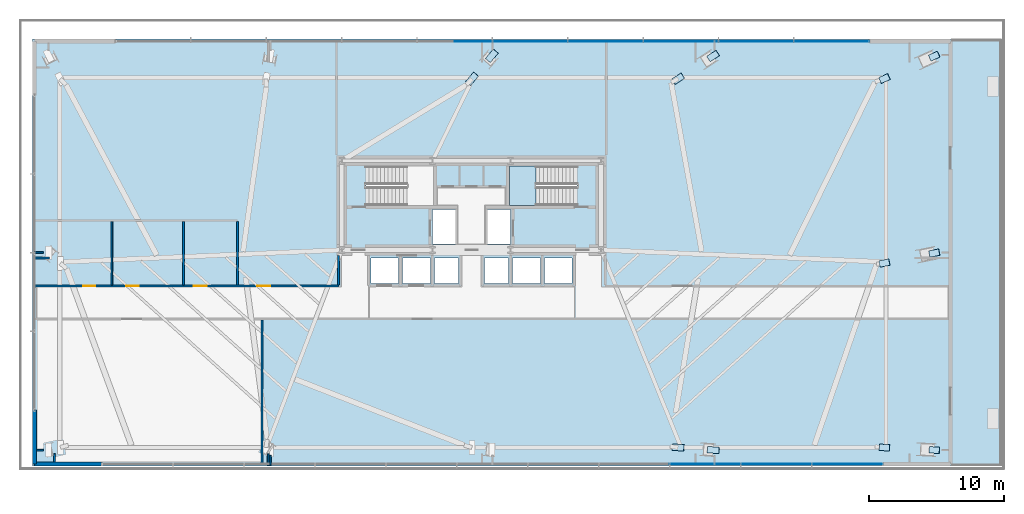
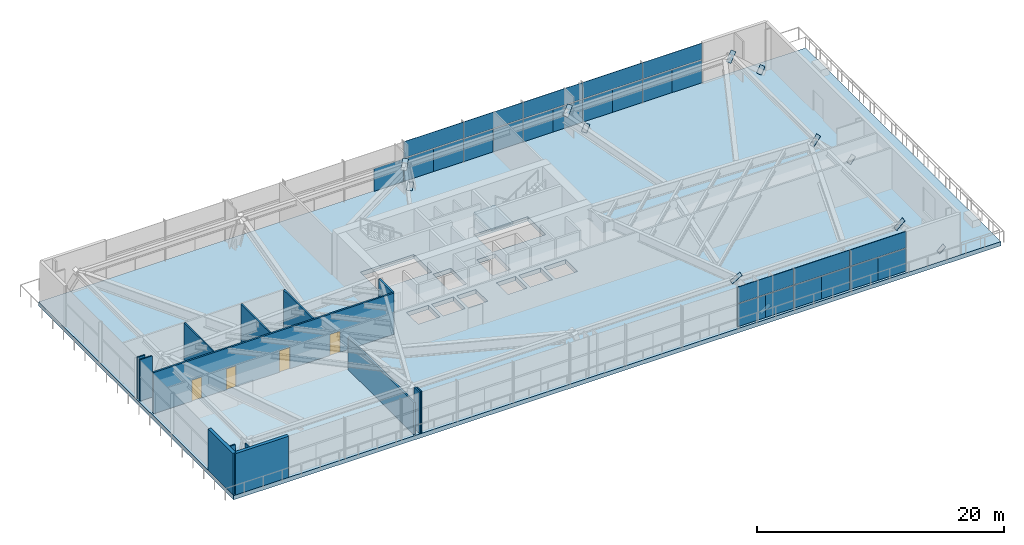
# One storey, part 21 of 30: 37 plates, 14 walls, 4 doors, 2 slabs, 4 openings, 3 elements without a shape of their own.
"""IFC4 building model written with IfcOpenShell, lengths in metres."""

from ifc_helpers import new_model, si_unit, direction, frame, frame_2d, origin, origin_2d, place, context, subcontext, project, spatial, polyline, rectangle, outline, extrude, source, transform, mapped, material, layer, layer_set, type_object, type_shapes, element, fill, aggregate, save


model = new_model("IFC4")

# Units and contexts
model_context = context("Model", 3, precision=1e-05, world=origin(), true_north=direction((0.0, 1.0)))
body_context = subcontext(model_context, "Body", "Model", "MODEL_VIEW")
ifc_project = project(units=[si_unit("LENGTHUNIT", "METRE"), si_unit("AREAUNIT", "SQUARE_METRE"), si_unit("VOLUMEUNIT", "CUBIC_METRE"), si_unit("PLANEANGLEUNIT", "RADIAN"), si_unit("MASSUNIT", "GRAM", prefix="KILO")], contexts=[model_context])

# Site, building, storey
site_placement = place(None, origin())
site = spatial("IfcSite", under=ifc_project, at=site_placement, CompositionType="ELEMENT")
building_placement = place(site_placement, origin())
building = spatial("IfcBuilding", under=site, at=building_placement, Name="Astriad Promenade Condominiums", CompositionType="ELEMENT")
storey_placement = place(building_placement, frame((0.0, 0.0, 14.0)))
storey = spatial("IfcBuildingStorey", under=building, at=storey_placement, Name="L03", CompositionType="ELEMENT", Elevation=14.0)

# Slab
ifc_material_1 = material(Name="Concrete C60/75", Category="concrete")
ifc_layer_1 = layer(ifc_material_1, 0.419921875)
ifc_layer_set_1 = layer_set([ifc_layer_1], Name="Concrete C60/75")
slab_type_1 = type_object("IfcSlabType", Name="CONCRETE TRANSFER FLOOR SLAB 420", PredefinedType="FLOOR", material=ifc_layer_set_1)
slab_1_placement = place(storey_placement, frame((0.0, 0.0, -0.419921875)))
element("IfcSlab", 1, at=slab_1_placement, inside=storey, type_object=slab_type_1, Name="Structural Floor Slab (L03)", PredefinedType="FLOOR", context=body_context, shape_type="SweptSolid", body=[
    extrude(outline(polyline([(71.60009765625, 1.39990234375), (75.25, 1.39990234375), (75.25, 33.0), (71.60009765625, 33.0), (3.5, 33.0), (3.5, 1.39990234375), (71.60009765625, 1.39990234375)]), holes=[polyline([(28.175048828125, 20.699951171875), (33.175048828125, 20.699951171875), (33.175048828125, 23.60009765625), (28.175048828125, 23.60009765625), (28.175048828125, 20.699951171875)]), polyline([(38.824951171875, 20.699951171875), (43.824951171875, 20.699951171875), (43.824951171875, 23.60009765625), (38.824951171875, 23.60009765625), (38.824951171875, 20.699951171875)]), polyline([(33.10009765625, 17.85009765625), (34.800048828125, 17.85009765625), (34.800048828125, 20.39990234375), (33.10009765625, 20.39990234375), (33.10009765625, 17.85009765625)]), polyline([(37.199951171875, 17.85009765625), (38.89990234375, 17.85009765625), (38.89990234375, 20.39990234375), (37.199951171875, 20.39990234375), (37.199951171875, 17.85009765625)]), polyline([(28.550048828125, 14.89990234375), (30.60009765625, 14.89990234375), (30.60009765625, 16.800048828125), (28.550048828125, 16.800048828125), (28.550048828125, 14.89990234375)]), polyline([(30.89990234375, 14.89990234375), (32.949951171875, 14.89990234375), (32.949951171875, 16.800048828125), (30.89990234375, 16.800048828125), (30.89990234375, 14.89990234375)]), polyline([(33.25, 14.89990234375), (35.050048828125, 14.89990234375), (35.050048828125, 16.800048828125), (33.25, 16.800048828125), (33.25, 14.89990234375)]), polyline([(36.949951171875, 14.89990234375), (38.75, 14.89990234375), (38.75, 16.800048828125), (36.949951171875, 16.800048828125), (36.949951171875, 14.89990234375)]), polyline([(39.050048828125, 14.89990234375), (41.10009765625, 14.89990234375), (41.10009765625, 16.800048828125), (39.050048828125, 16.800048828125), (39.050048828125, 14.89990234375)]), polyline([(41.39990234375, 14.89990234375), (43.449951171875, 14.89990234375), (43.449951171875, 16.800048828125), (41.39990234375, 16.800048828125), (41.39990234375, 14.89990234375)])]), origin(), (0.0, 0.0, 1.0), 0.419921875),
])

# Stair, slab
ifc_material_2 = material(Name="Concrete C50/60", Category="concrete")
stair_type = type_object("IfcStairType", Name="STR-CORE-1350", PredefinedType="HALF_TURN_STAIR", material=ifc_material_2)
stair_placement = place(storey_placement, origin())
stair = element("IfcStair", 2, at=stair_placement, inside=storey, type_object=stair_type, Name="L03 Enclosed Core Exit Stair ST-2", PredefinedType="HALF_TURN_STAIR")
ifc_layer_2 = layer(ifc_material_2, 0.219970703125)
ifc_layer_set_2 = layer_set([ifc_layer_2], Name="Concrete C50/60")
slab_type_2 = type_object("IfcSlabType", Name="SLB-LANDING-220", PredefinedType="LANDING", material=ifc_layer_set_2)
slab_2_placement = place(storey_placement, frame((0.0, 0.0, 2.050048828125)))
slab_2 = element("IfcSlab", 3, at=slab_2_placement, type_object=slab_type_2, Name="ST-2 landing 1", PredefinedType="LANDING", context=body_context, shape_type="SweptSolid", body=[
    extrude(outline(polyline([(40.77001953125, 23.60009765625), (38.800048828125, 23.60009765625), (38.800048828125, 20.699951171875), (40.77001953125, 20.699951171875), (40.77001953125, 23.60009765625)])), origin(), (0.0, 0.0, 1.0), 0.199951171875),
])
aggregate(stair, [slab_2])

# Plates
ifc_material_3 = material(Name="Steel ASTM A572 Grade 50", Category="steel")
ifc_layer_3 = layer(ifc_material_3, 0.02490234375)
ifc_layer_set_3 = layer_set([ifc_layer_3], Name="Steel ASTM A572 Grade 50")
plate_type_1 = type_object("IfcPlateType", Name="STEEL HOLLOW SECTION END CAP PLATE 30", PredefinedType="USERDEFINED", material=ifc_layer_set_3)
shared_shape_1 = source(origin(), body_context, "Body", "SweptSolid", [
    extrude(rectangle(XDim=0.477294921875, YDim=1.05126953125, at=origin_2d()), origin(), (0.0, 0.0, 1.0), 0.02490234375),
])
type_shapes(plate_type_1, [shared_shape_1])
for number, where, z_axis, x_axis, name in (
    (4, (53.906982421875, 2.585693359375, 0.11474609375), (-0.561918391962, 0.040511908997, 0.826200039944), (-0.071909074348, -0.997411191549, 0.0), "Hollow Section End Cap Plate COL-PC04-L03-A"),
    (5, (51.302001953125, 2.7734375, 3.94482421875), (-0.561918391962, 0.040511908997, 0.826200039944), (-0.071909074348, -0.997411191549, 0.0), "Hollow Section End Cap Plate COL-PC04-L03-B"),
    (6, (70.275390625, 2.587158203125, 0.1474609375), (-0.699635320887, 0.034981765994, 0.713643253885), (-0.049937616873, -0.998752338881, 0.0), "Hollow Section End Cap Plate COL-PC05-L03-A"),
    (7, (66.58203125, 2.771728515625, 3.914794921875), (-0.699635320887, 0.034981765994, 0.713643253885), (-0.049937616873, -0.998752338881, 0.0), "Hollow Section End Cap Plate COL-PC05-L03-B"),
    (8, (37.511962890625, 31.775634765625, 0.100341796875), (-0.328290254981, -0.381278086978, 0.864206299951), (0.757800782435, -0.652485995359, 0.0), "Hollow Section End Cap Plate COL-PC08-L03-A"),
    (9, (36.04638671875, 30.07373046875, 3.9580078125), (-0.328290254981, -0.381278086978, 0.864206299951), (0.757800782435, -0.652485995359, 0.0), "Hollow Section End Cap Plate COL-PC08-L03-B"),
    (10, (53.896484375, 31.762451171875, 0.130126953125), (-0.528338478865, -0.342719367912, 0.776789473801), (0.544206000662, -0.838951624853, 0.0), "Hollow Section End Cap Plate COL-PC09-L03-A"),
    (11, (51.311767578125, 30.0859375, 3.93017578125), (-0.528338478865, -0.342719367912, 0.776789473801), (0.544206000662, -0.838951624853, 0.0), "Hollow Section End Cap Plate COL-PC09-L03-B"),
    (12, (70.267822265625, 31.75146484375, 0.155029296875), (-0.667724228095, -0.300481372043, 0.681069233097), (0.410370889064, -0.911918709869, 0.0), "Hollow Section End Cap Plate COL-PC10-L03-A"),
    (13, (66.588623046875, 30.095703125, 3.907958984375), (-0.667724228095, -0.300481372043, 0.681069233097), (0.410370889064, -0.911918709869, 0.0), "Hollow Section End Cap Plate COL-PC10-L03-B"),
    (14, (70.27392578125, 17.170654296875, 0.14892578125), (-0.693316328373, -0.138648166074, 0.70716982038), (0.196095600515, -0.980584782392, 0.0), "Hollow Section End Cap Plate COL-PC12-L03-A"),
    (15, (66.583251953125, 16.4326171875, 3.913330078125), (-0.693316328373, -0.138648166074, 0.70716982038), (0.196095600515, -0.980584782392, 0.0), "Hollow Section End Cap Plate COL-PC12-L03-B"),
):
    element("IfcPlate", number, at=place(storey_placement, frame(where, z_axis=z_axis, x_axis=x_axis)), inside=storey, type_object=plate_type_1, Name=name, ObjectType="STIFFENER_PLATE", PredefinedType="USERDEFINED", context=body_context, shape_type="MappedRepresentation", body=[
        mapped(shared_shape_1, transform((0.0, 0.0, 0.0), scale=1.0)),
    ])

# Curtain wall, plates
ifc_material_4 = material(Name="Anodised aluminium Black Dark Glass Unitised", Category="aluminium")
curtain_wall_type = type_object("IfcCurtainWallType", Name="CW-POD-DARK", PredefinedType="USERDEFINED", material=ifc_material_4)
curtain_wall_1_placement = place(storey_placement, origin())
curtain_wall_1 = element("IfcCurtainWall", 16, at=curtain_wall_1_placement, inside=storey, type_object=curtain_wall_type, Name="CW-L03-N", ObjectType="UNITISED_CURTAIN_WALL", PredefinedType="USERDEFINED")
ifc_material_5 = material(Name="Dark Tinted Low-E Laminated Glass", Category="glass")
ifc_layer_4 = layer(ifc_material_5, 0.035888671875)
ifc_layer_set_4 = layer_set([ifc_layer_4], Name="Dark Tinted Low-E Laminated Glass")
plate_type_2 = type_object("IfcPlateType", Name="PNL-DARK-GLASS-36", PredefinedType="CURTAIN_PANEL", material=ifc_layer_set_4)
shared_shape_2 = source(origin(), body_context, "Body", "SweptSolid", [
    extrude(rectangle(XDim=2.778076171875, YDim=0.035888671875, at=origin_2d()), origin(), (0.0, 0.0, 1.0), 2.22998046875),
])
plate_1_placement = place(storey_placement, frame((36.155029296875, 32.85009765625, 0.080078125), z_axis=(0.0, 0.0, 1.0), x_axis=(1.0, 0.0, 0.0)))
plate_1 = element("IfcPlate", 17, at=plate_1_placement, type_object=plate_type_2, Name="CW-L03-N-PNL-04-VR", PredefinedType="CURTAIN_PANEL", context=body_context, shape_type="MappedRepresentation", body=[
    mapped(shared_shape_2, transform((0.0, 0.0, 0.0), scale=1.0)),
])
plate_2_placement = place(storey_placement, frame((38.945068359375, 32.85009765625, 0.080078125), z_axis=(0.0, 0.0, 1.0), x_axis=(1.0, 0.0, 0.0)))
plate_2 = element("IfcPlate", 18, at=plate_2_placement, type_object=plate_type_2, Name="CW-L03-N-PNL-05-VL", PredefinedType="CURTAIN_PANEL", context=body_context, shape_type="MappedRepresentation", body=[
    mapped(shared_shape_2, transform((0.0, 0.0, 0.0), scale=1.0)),
])
plate_3_placement = place(storey_placement, frame((41.735107421875, 32.85009765625, 0.080078125), z_axis=(0.0, 0.0, 1.0), x_axis=(1.0, 0.0, 0.0)))
plate_3 = element("IfcPlate", 19, at=plate_3_placement, type_object=plate_type_2, Name="CW-L03-N-PNL-05-VR", PredefinedType="CURTAIN_PANEL", context=body_context, shape_type="MappedRepresentation", body=[
    mapped(shared_shape_2, transform((0.0, 0.0, 0.0), scale=1.0)),
])
plate_4_placement = place(storey_placement, frame((44.52490234375, 32.85009765625, 0.080078125), z_axis=(0.0, 0.0, 1.0), x_axis=(1.0, 0.0, 0.0)))
plate_4 = element("IfcPlate", 20, at=plate_4_placement, type_object=plate_type_2, Name="CW-L03-N-PNL-06-VL", PredefinedType="CURTAIN_PANEL", context=body_context, shape_type="MappedRepresentation", body=[
    mapped(shared_shape_2, transform((0.0, 0.0, 0.0), scale=1.0)),
])
plate_5_placement = place(storey_placement, frame((47.31494140625, 32.85009765625, 0.080078125), z_axis=(0.0, 0.0, 1.0), x_axis=(1.0, 0.0, 0.0)))
plate_5 = element("IfcPlate", 21, at=plate_5_placement, type_object=plate_type_2, Name="CW-L03-N-PNL-06-VR", PredefinedType="CURTAIN_PANEL", context=body_context, shape_type="MappedRepresentation", body=[
    mapped(shared_shape_2, transform((0.0, 0.0, 0.0), scale=1.0)),
])
plate_6_placement = place(storey_placement, frame((50.10498046875, 32.85009765625, 0.080078125), z_axis=(0.0, 0.0, 1.0), x_axis=(1.0, 0.0, 0.0)))
plate_6 = element("IfcPlate", 22, at=plate_6_placement, type_object=plate_type_2, Name="CW-L03-N-PNL-07-VL", PredefinedType="CURTAIN_PANEL", context=body_context, shape_type="MappedRepresentation", body=[
    mapped(shared_shape_2, transform((0.0, 0.0, 0.0), scale=1.0)),
])
plate_7_placement = place(storey_placement, frame((52.89501953125, 32.85009765625, 0.080078125), z_axis=(0.0, 0.0, 1.0), x_axis=(1.0, 0.0, 0.0)))
plate_7 = element("IfcPlate", 23, at=plate_7_placement, type_object=plate_type_2, Name="CW-L03-N-PNL-07-VR", PredefinedType="CURTAIN_PANEL", context=body_context, shape_type="MappedRepresentation", body=[
    mapped(shared_shape_2, transform((0.0, 0.0, 0.0), scale=1.0)),
])
plate_8_placement = place(storey_placement, frame((55.68505859375, 32.85009765625, 0.080078125), z_axis=(0.0, 0.0, 1.0), x_axis=(1.0, 0.0, 0.0)))
plate_8 = element("IfcPlate", 24, at=plate_8_placement, type_object=plate_type_2, Name="CW-L03-N-PNL-08-VL", PredefinedType="CURTAIN_PANEL", context=body_context, shape_type="MappedRepresentation", body=[
    mapped(shared_shape_2, transform((0.0, 0.0, 0.0), scale=1.0)),
])
plate_9_placement = place(storey_placement, frame((58.47509765625, 32.85009765625, 0.080078125), z_axis=(0.0, 0.0, 1.0), x_axis=(1.0, 0.0, 0.0)))
plate_9 = element("IfcPlate", 25, at=plate_9_placement, type_object=plate_type_2, Name="CW-L03-N-PNL-08-VR", PredefinedType="CURTAIN_PANEL", context=body_context, shape_type="MappedRepresentation", body=[
    mapped(shared_shape_2, transform((0.0, 0.0, 0.0), scale=1.0)),
])
plate_10_placement = place(storey_placement, frame((61.264892578125, 32.85009765625, 0.080078125), z_axis=(0.0, 0.0, 1.0), x_axis=(1.0, 0.0, 0.0)))
plate_10 = element("IfcPlate", 26, at=plate_10_placement, type_object=plate_type_2, Name="CW-L03-N-PNL-09-VL", PredefinedType="CURTAIN_PANEL", context=body_context, shape_type="MappedRepresentation", body=[
    mapped(shared_shape_2, transform((0.0, 0.0, 0.0), scale=1.0)),
])
plate_11_placement = place(storey_placement, frame((64.054931640625, 32.85009765625, 0.080078125), z_axis=(0.0, 0.0, 1.0), x_axis=(1.0, 0.0, 0.0)))
plate_11 = element("IfcPlate", 27, at=plate_11_placement, type_object=plate_type_2, Name="CW-L03-N-PNL-09-VR", PredefinedType="CURTAIN_PANEL", context=body_context, shape_type="MappedRepresentation", body=[
    mapped(shared_shape_2, transform((0.0, 0.0, 0.0), scale=1.0)),
])
shared_shape_3 = source(origin(), body_context, "Body", "SweptSolid", [
    extrude(rectangle(XDim=5.568115234375, YDim=0.035888671875, at=origin_2d()), origin(), (0.0, 0.0, 1.0), 1.610107421875),
])
plate_12_placement = place(storey_placement, frame((40.340087890625, 32.85009765625, 2.39013671875), z_axis=(0.0, 0.0, 1.0), x_axis=(1.0, 0.0, 0.0)))
plate_12 = element("IfcPlate", 28, at=plate_12_placement, type_object=plate_type_2, Name="CW-L03-N-PNL-05-S", PredefinedType="CURTAIN_PANEL", context=body_context, shape_type="MappedRepresentation", body=[
    mapped(shared_shape_3, transform((0.0, 0.0, 0.0), scale=1.0)),
])
plate_13_placement = place(storey_placement, frame((45.919921875, 32.85009765625, 2.39013671875), z_axis=(0.0, 0.0, 1.0), x_axis=(1.0, 0.0, 0.0)))
plate_13 = element("IfcPlate", 29, at=plate_13_placement, type_object=plate_type_2, Name="CW-L03-N-PNL-06-S", PredefinedType="CURTAIN_PANEL", context=body_context, shape_type="MappedRepresentation", body=[
    mapped(shared_shape_3, transform((0.0, 0.0, 0.0), scale=1.0)),
])
plate_14_placement = place(storey_placement, frame((51.5, 32.85009765625, 2.39013671875), z_axis=(0.0, 0.0, 1.0), x_axis=(1.0, 0.0, 0.0)))
plate_14 = element("IfcPlate", 30, at=plate_14_placement, type_object=plate_type_2, Name="CW-L03-N-PNL-07-S", PredefinedType="CURTAIN_PANEL", context=body_context, shape_type="MappedRepresentation", body=[
    mapped(shared_shape_3, transform((0.0, 0.0, 0.0), scale=1.0)),
])
plate_15_placement = place(storey_placement, frame((57.080078125, 32.85009765625, 2.39013671875), z_axis=(0.0, 0.0, 1.0), x_axis=(1.0, 0.0, 0.0)))
plate_15 = element("IfcPlate", 31, at=plate_15_placement, type_object=plate_type_2, Name="CW-L03-N-PNL-08-S", PredefinedType="CURTAIN_PANEL", context=body_context, shape_type="MappedRepresentation", body=[
    mapped(shared_shape_3, transform((0.0, 0.0, 0.0), scale=1.0)),
])
plate_16_placement = place(storey_placement, frame((62.659912109375, 32.85009765625, 2.39013671875), z_axis=(0.0, 0.0, 1.0), x_axis=(1.0, 0.0, 0.0)))
plate_16 = element("IfcPlate", 32, at=plate_16_placement, type_object=plate_type_2, Name="CW-L03-N-PNL-09-S", PredefinedType="CURTAIN_PANEL", context=body_context, shape_type="MappedRepresentation", body=[
    mapped(shared_shape_3, transform((0.0, 0.0, 0.0), scale=1.0)),
])
aggregate(curtain_wall_1, [plate_1, plate_2, plate_3, plate_12, plate_4, plate_5, plate_13, plate_6, plate_7, plate_14, plate_8, plate_9, plate_15, plate_10, plate_11, plate_16])

curtain_wall_2_placement = place(storey_placement, origin())
curtain_wall_2 = element("IfcCurtainWall", 33, at=curtain_wall_2_placement, inside=storey, type_object=curtain_wall_type, Name="CW-L03-S", ObjectType="UNITISED_CURTAIN_WALL", PredefinedType="USERDEFINED")
shared_shape_4 = source(origin(), body_context, "Body", "SweptSolid", [
    extrude(rectangle(XDim=2.615234375, YDim=0.035888671875, at=origin_2d()), origin(), (0.0, 0.0, 1.0), 2.22998046875),
])
plate_17_placement = place(storey_placement, frame((65.136474609375, 1.550048828125, 0.080078125), z_axis=(0.0, 0.0, 1.0), x_axis=(-1.0, 0.0, 0.0)))
plate_17 = element("IfcPlate", 34, at=plate_17_placement, type_object=plate_type_2, Name="CW-L03-S-PNL-00-VL", PredefinedType="CURTAIN_PANEL", context=body_context, shape_type="MappedRepresentation", body=[
    mapped(shared_shape_4, transform((0.0, 0.0, 0.0), scale=1.0)),
])
plate_18_placement = place(storey_placement, frame((62.509033203125, 1.550048828125, 0.080078125), z_axis=(0.0, 0.0, 1.0), x_axis=(-1.0, 0.0, 0.0)))
plate_18 = element("IfcPlate", 35, at=plate_18_placement, type_object=plate_type_2, Name="CW-L03-S-PNL-00-VR", PredefinedType="CURTAIN_PANEL", context=body_context, shape_type="MappedRepresentation", body=[
    mapped(shared_shape_4, transform((0.0, 0.0, 0.0), scale=1.0)),
])
plate_19_placement = place(storey_placement, frame((59.8818359375, 1.550048828125, 0.080078125), z_axis=(0.0, 0.0, 1.0), x_axis=(-1.0, 0.0, 0.0)))
plate_19 = element("IfcPlate", 36, at=plate_19_placement, type_object=plate_type_2, Name="CW-L03-S-PNL-01-VL", PredefinedType="CURTAIN_PANEL", context=body_context, shape_type="MappedRepresentation", body=[
    mapped(shared_shape_4, transform((0.0, 0.0, 0.0), scale=1.0)),
])
plate_20_placement = place(storey_placement, frame((57.254638671875, 1.550048828125, 0.080078125), z_axis=(0.0, 0.0, 1.0), x_axis=(-1.0, 0.0, 0.0)))
plate_20 = element("IfcPlate", 37, at=plate_20_placement, type_object=plate_type_2, Name="CW-L03-S-PNL-01-VR", PredefinedType="CURTAIN_PANEL", context=body_context, shape_type="MappedRepresentation", body=[
    mapped(shared_shape_4, transform((0.0, 0.0, 0.0), scale=1.0)),
])
plate_21_placement = place(storey_placement, frame((54.627197265625, 1.550048828125, 0.080078125), z_axis=(0.0, 0.0, 1.0), x_axis=(-1.0, 0.0, 0.0)))
plate_21 = element("IfcPlate", 38, at=plate_21_placement, type_object=plate_type_2, Name="CW-L03-S-PNL-02-VL", PredefinedType="CURTAIN_PANEL", context=body_context, shape_type="MappedRepresentation", body=[
    mapped(shared_shape_4, transform((0.0, 0.0, 0.0), scale=1.0)),
])
plate_22_placement = place(storey_placement, frame((52.0, 1.550048828125, 0.080078125), z_axis=(0.0, 0.0, 1.0), x_axis=(-1.0, 0.0, 0.0)))
plate_22 = element("IfcPlate", 39, at=plate_22_placement, type_object=plate_type_2, Name="CW-L03-S-PNL-02-VR", PredefinedType="CURTAIN_PANEL", context=body_context, shape_type="MappedRepresentation", body=[
    mapped(shared_shape_4, transform((0.0, 0.0, 0.0), scale=1.0)),
])
shared_shape_5 = source(origin(), body_context, "Body", "SweptSolid", [
    extrude(rectangle(XDim=5.242431640625, YDim=0.035888671875, at=origin_2d()), origin(), (0.0, 0.0, 1.0), 1.610107421875),
])
type_shapes(plate_type_2, [shared_shape_2, shared_shape_3, shared_shape_4, shared_shape_5])
plate_23_placement = place(storey_placement, frame((63.82275390625, 1.550048828125, 2.39013671875), z_axis=(0.0, 0.0, 1.0), x_axis=(-1.0, 0.0, 0.0)))
plate_23 = element("IfcPlate", 40, at=plate_23_placement, type_object=plate_type_2, Name="CW-L03-S-PNL-00-S", PredefinedType="CURTAIN_PANEL", context=body_context, shape_type="MappedRepresentation", body=[
    mapped(shared_shape_5, transform((0.0, 0.0, 0.0), scale=1.0)),
])
plate_24_placement = place(storey_placement, frame((58.568115234375, 1.550048828125, 2.39013671875), z_axis=(0.0, 0.0, 1.0), x_axis=(-1.0, 0.0, 0.0)))
plate_24 = element("IfcPlate", 41, at=plate_24_placement, type_object=plate_type_2, Name="CW-L03-S-PNL-01-S", PredefinedType="CURTAIN_PANEL", context=body_context, shape_type="MappedRepresentation", body=[
    mapped(shared_shape_5, transform((0.0, 0.0, 0.0), scale=1.0)),
])
plate_25_placement = place(storey_placement, frame((53.313720703125, 1.550048828125, 2.39013671875), z_axis=(0.0, 0.0, 1.0), x_axis=(-1.0, 0.0, 0.0)))
plate_25 = element("IfcPlate", 42, at=plate_25_placement, type_object=plate_type_2, Name="CW-L03-S-PNL-02-S", PredefinedType="CURTAIN_PANEL", context=body_context, shape_type="MappedRepresentation", body=[
    mapped(shared_shape_5, transform((0.0, 0.0, 0.0), scale=1.0)),
])
aggregate(curtain_wall_2, [plate_17, plate_18, plate_23, plate_19, plate_20, plate_24, plate_21, plate_22, plate_25])

# Wall, openings, doors
ifc_material_6 = material(Name="Fire-Rated Gypsum Partition")
ifc_layer_5 = layer(ifc_material_6, 0.159912109375)
ifc_layer_set_5 = layer_set([ifc_layer_5], Name="Fire-Rated Gypsum Partition")
wall_type_1 = type_object("IfcWallType", Name="WALL-CORR-160", PredefinedType="PARTITIONING", material=ifc_layer_set_5)
wall_1_placement = place(storey_placement, frame((3.64990234375, 14.719970703125, 0.0), z_axis=(0.0, 0.0, 1.0), x_axis=(1.0, 0.0, 0.0)))
wall_1 = element("IfcWall", 43, at=wall_1_placement, inside=storey, type_object=wall_type_1, Name="PT-L03-CNW", PredefinedType="PARTITIONING", context=body_context, shape_type="SweptSolid", body=[
    extrude(rectangle(XDim=22.5, YDim=0.159912109375, at=frame_2d((11.25, 0.0))), origin(), (0.0, 0.0, 1.0), 4.080078125),
])
opening_1_placement = place(wall_1_placement, frame((16.5, 0.0, 0.0)))
opening_1 = element("IfcOpeningElement", 44, at=opening_1_placement, cuts=wall_1, Name="Opening FD60-APT-095", PredefinedType="OPENING", context=body_context, shape_type="SweptSolid", body=[
    extrude(rectangle(XDim=0.949951171875, YDim=2.06005859375, at=frame_2d((0.47509765625, 1.030029296875))), frame((0.0, 0.08984375, 0.0), z_axis=(0.0, -1.0, 0.0), x_axis=(1.0, 0.0, 0.0)), (0.0, 0.0, 1.0), 0.179931640625),
])
opening_2_placement = place(wall_1_placement, frame((3.60009765625, 0.0, 0.0)))
opening_2 = element("IfcOpeningElement", 45, at=opening_2_placement, cuts=wall_1, Name="Opening D-INT-090", PredefinedType="OPENING", context=body_context, shape_type="SweptSolid", body=[
    extrude(rectangle(XDim=0.89990234375, YDim=2.050048828125, at=frame_2d((0.449951171875, 1.02490234375))), frame((0.0, 0.08984375, 0.0), z_axis=(0.0, -1.0, 0.0), x_axis=(1.0, 0.0, 0.0)), (0.0, 0.0, 1.0), 0.179931640625),
])
opening_3_placement = place(wall_1_placement, frame((6.800048828125, 0.0, 0.0)))
opening_3 = element("IfcOpeningElement", 46, at=opening_3_placement, cuts=wall_1, Name="Opening D-INT-090", PredefinedType="OPENING", context=body_context, shape_type="SweptSolid", body=[
    extrude(rectangle(XDim=0.89990234375, YDim=2.050048828125, at=frame_2d((0.449951171875, 1.02490234375))), frame((0.0, 0.08984375, 0.0), z_axis=(0.0, -1.0, 0.0), x_axis=(1.0, 0.0, 0.0)), (0.0, 0.0, 1.0), 0.179931640625),
])
opening_4_placement = place(wall_1_placement, frame((11.800048828125, 0.0, 0.0)))
opening_4 = element("IfcOpeningElement", 47, at=opening_4_placement, cuts=wall_1, Name="Opening D-WET-095", PredefinedType="OPENING", context=body_context, shape_type="SweptSolid", body=[
    extrude(rectangle(XDim=0.949951171875, YDim=2.10009765625, at=frame_2d((0.47509765625, 1.050048828125))), frame((0.0, 0.08984375, 0.0), z_axis=(0.0, -1.0, 0.0), x_axis=(1.0, 0.0, 0.0)), (0.0, 0.0, 1.0), 0.179931640625),
])
ifc_material_7 = material(Name="Accessible Restroom Timber Door", Category="wood")
door_type_1 = type_object("IfcDoorType", Name="D-WET-095", OperationType="NOTDEFINED", PredefinedType="DOOR", material=ifc_material_7)
shared_shape_6 = source(origin(), body_context, "Body", "SweptSolid", [
    extrude(rectangle(XDim=0.949951171875, YDim=2.10009765625, at=frame_2d((0.47509765625, 1.050048828125))), frame((0.0, 0.02490234375, 0.0), z_axis=(0.0, -1.0, 0.0), x_axis=(1.0, 0.0, 0.0)), (0.0, 0.0, 1.0), 0.050048828125),
])
type_shapes(door_type_1, [shared_shape_6])
door_1_placement = place(opening_4_placement, origin())
door_1 = element("IfcDoor", 48, at=door_1_placement, inside=storey, type_object=door_type_1, Name="D-L03-WCA", OperationType="SINGLE_SWING_RIGHT", OverallHeight=2.10009765625, OverallWidth=0.949951171875, PredefinedType="DOOR", context=body_context, shape_type="MappedRepresentation", body=[
    mapped(shared_shape_6, transform((0.0, 0.0, 0.0), scale=1.0)),
])
fill(opening_4, door_1)
ifc_material_8 = material(Name="Solid-Core Acoustic Timber Residence Entry Door", Category="wood")
door_type_2 = type_object("IfcDoorType", Name="FD60-APT-095", OperationType="NOTDEFINED", PredefinedType="DOOR", material=ifc_material_8)
shared_shape_7 = source(origin(), body_context, "Body", "SweptSolid", [
    extrude(rectangle(XDim=0.949951171875, YDim=2.06005859375, at=frame_2d((0.47509765625, 1.030029296875))), frame((0.0, 0.02490234375, 0.0), z_axis=(0.0, -1.0, 0.0), x_axis=(1.0, 0.0, 0.0)), (0.0, 0.0, 1.0), 0.050048828125),
])
type_shapes(door_type_2, [shared_shape_7])
door_2_placement = place(opening_1_placement, origin())
door_2 = element("IfcDoor", 49, at=door_2_placement, inside=storey, type_object=door_type_2, Name="D-L03-R4", OperationType="SINGLE_SWING_LEFT", OverallHeight=2.06005859375, OverallWidth=0.949951171875, PredefinedType="DOOR", context=body_context, shape_type="MappedRepresentation", body=[
    mapped(shared_shape_7, transform((0.0, 0.0, 0.0), scale=1.0)),
])
fill(opening_1, door_2)
ifc_material_9 = material(Name="Painted Solid-Core Timber Bedroom Door", Category="wood")
door_type_3 = type_object("IfcDoorType", Name="D-INT-090", OperationType="NOTDEFINED", PredefinedType="DOOR", material=ifc_material_9)
shared_shape_8 = source(origin(), body_context, "Body", "SweptSolid", [
    extrude(rectangle(XDim=0.89990234375, YDim=2.050048828125, at=frame_2d((0.449951171875, 1.02490234375))), frame((0.0, 0.02490234375, 0.0), z_axis=(0.0, -1.0, 0.0), x_axis=(1.0, 0.0, 0.0)), (0.0, 0.0, 1.0), 0.050048828125),
])
type_shapes(door_type_3, [shared_shape_8])
door_3_placement = place(opening_2_placement, origin())
door_3 = element("IfcDoor", 50, at=door_3_placement, inside=storey, type_object=door_type_3, Name="D-L03-WCM", OperationType="SINGLE_SWING_RIGHT", OverallHeight=2.050048828125, OverallWidth=0.89990234375, PredefinedType="DOOR", context=body_context, shape_type="MappedRepresentation", body=[
    mapped(shared_shape_8, transform((0.0, 0.0, 0.0), scale=1.0)),
])
fill(opening_2, door_3)
door_4_placement = place(opening_3_placement, origin())
door_4 = element("IfcDoor", 51, at=door_4_placement, inside=storey, type_object=door_type_3, Name="D-L03-WCF", OperationType="SINGLE_SWING_LEFT", OverallHeight=2.050048828125, OverallWidth=0.89990234375, PredefinedType="DOOR", context=body_context, shape_type="MappedRepresentation", body=[
    mapped(shared_shape_8, transform((0.0, 0.0, 0.0), scale=1.0)),
])
fill(opening_3, door_4)

# Walls
wall_2_placement = place(storey_placement, frame((20.5, 1.550048828125, 0.0), z_axis=(0.0, 0.0, 1.0), x_axis=(0.0, 1.0, 0.0)))
element("IfcWall", 52, at=wall_2_placement, inside=storey, type_object=wall_type_1, Name="PT-L03-SV", PredefinedType="PARTITIONING", context=body_context, shape_type="SweptSolid", body=[
    extrude(rectangle(XDim=10.66796875, YDim=0.159912109375, at=frame_2d((5.333984375, 0.0))), origin(), (0.0, 0.0, 1.0), 3.184814453125),
])
wall_3_placement = place(storey_placement, frame((18.679931640625, 14.802001953125, 0.0), z_axis=(0.0, 0.0, 1.0), x_axis=(0.0, 1.0, 0.0)))
element("IfcWall", 53, at=wall_3_placement, inside=storey, type_object=wall_type_1, Name="PT-L03-WC3", PredefinedType="PARTITIONING", context=body_context, shape_type="SweptSolid", body=[
    extrude(rectangle(XDim=4.696044921875, YDim=0.159912109375, at=frame_2d((2.34814453125, 0.0))), origin(), (0.0, 0.0, 1.0), 4.080078125),
])
wall_4_placement = place(storey_placement, frame((26.14990234375, 14.802001953125, 0.0), z_axis=(0.0, 0.0, 1.0), x_axis=(0.0, 1.0, 0.0)))
element("IfcWall", 54, at=wall_4_placement, inside=storey, type_object=wall_type_1, Name="PT-L03-CWSP", PredefinedType="PARTITIONING", context=body_context, shape_type="SweptSolid", body=[
    extrude(rectangle(XDim=2.196044921875, YDim=0.159912109375, at=frame_2d((1.09814453125, 0.0))), origin(), (0.0, 0.0, 1.0), 4.080078125),
])
ifc_material_10 = material(Name="Precast concrete C50/60", Category="concrete")
ifc_layer_6 = layer(ifc_material_10, 0.300048828125)
ifc_layer_set_6 = layer_set([ifc_layer_6], Name="Precast concrete C50/60")
wall_type_2 = type_object("IfcWallType", Name="WALL-EXT-POD-300", PredefinedType="STANDARD", material=ifc_layer_set_6)
wall_5_placement = place(storey_placement, frame((3.64990234375, 1.550048828125, 0.0), z_axis=(0.0, 0.0, 1.0), x_axis=(0.0, 1.0, 0.0)))
element("IfcWall", 55, at=wall_5_placement, inside=storey, type_object=wall_type_2, Name="W-EXT-L03-W1", PredefinedType="STANDARD", context=body_context, shape_type="SweptSolid", body=[
    extrude(rectangle(XDim=4.0, YDim=0.300048828125, at=frame_2d((2.0, 0.0))), origin(), (0.0, 0.0, 1.0), 4.080078125),
])
wall_6_placement = place(storey_placement, frame((8.64990234375, 1.550048828125, 0.0), z_axis=(0.0, 0.0, 1.0), x_axis=(-1.0, 0.0, 0.0)))
element("IfcWall", 56, at=wall_6_placement, inside=storey, type_object=wall_type_2, Name="W-EXT-L03-S2", PredefinedType="STANDARD", context=body_context, shape_type="SweptSolid", body=[
    extrude(rectangle(XDim=5.0, YDim=0.300048828125, at=frame_2d((2.5, 0.0))), origin(), (0.0, 0.0, 1.0), 4.080078125),
])
ifc_material_11 = material(Name="Acoustic Metal-Stud Gypsum Partition")
ifc_layer_7 = layer(ifc_material_11, 0.1201171875)
ifc_layer_set_7 = layer_set([ifc_layer_7], Name="Acoustic Metal-Stud Gypsum Partition")
wall_type_3 = type_object("IfcWallType", Name="WALL-PART-120", PredefinedType="PARTITIONING", material=ifc_layer_set_7)
for number, where, z_axis, x_axis, name in (
    (57, (9.3798828125, 14.802001953125, 0.0), (0.0, 0.0, 1.0), (0.0, 1.0, 0.0), "PT-L03-WC1"),
    (58, (14.679931640625, 14.802001953125, 0.0), (0.0, 0.0, 1.0), (0.0, 1.0, 0.0), "PT-L03-WC2"),
):
    element("IfcWall", number, at=place(storey_placement, frame(where, z_axis=z_axis, x_axis=x_axis)), inside=storey, type_object=wall_type_3, Name=name, PredefinedType="PARTITIONING", context=body_context, shape_type="SweptSolid", body=[
        extrude(rectangle(XDim=4.696044921875, YDim=0.1201171875, at=frame_2d((2.34814453125, 0.0))), origin(), (0.0, 0.0, 1.0), 4.080078125),
    ])
wall_7_placement = place(storey_placement, frame((5.1298828125, 2.300048828125, 0.0), z_axis=(0.0, 0.0, 1.0), x_axis=(0.0, -1.0, 0.0)))
element("IfcWall", 59, at=wall_7_placement, inside=storey, type_object=wall_type_3, Name="PT-PIL-L03-PC01-8", PredefinedType="PARTITIONING", context=body_context, shape_type="SweptSolid", body=[
    extrude(rectangle(XDim=0.59814453125, YDim=0.1201171875, at=frame_2d((0.299072265625, 0.0))), origin(), (0.0, 0.0, 1.0), 4.080078125),
])
wall_8_placement = place(storey_placement, frame((20.952392578125, 2.300048828125, 0.0), z_axis=(0.0, 0.0, 1.0), x_axis=(0.0, -1.0, 0.0)))
element("IfcWall", 60, at=wall_8_placement, inside=storey, type_object=wall_type_3, Name="PT-PIL-L03-PC02-9", PredefinedType="PARTITIONING", context=body_context, shape_type="SweptSolid", body=[
    extrude(rectangle(XDim=0.820068359375, YDim=0.1201171875, at=frame_2d((0.41015625, 0.0))), origin(), (0.0, 0.0, 1.0), 4.080078125),
])
wall_9_placement = place(storey_placement, frame((4.75, 16.800048828125, 0.0), z_axis=(0.0, 0.0, 1.0), x_axis=(-1.0, 0.0, 0.0)))
element("IfcWall", 61, at=wall_9_placement, inside=storey, type_object=wall_type_3, Name="PT-PIL-L03-PC11-18", PredefinedType="PARTITIONING", context=body_context, shape_type="SweptSolid", body=[
    extrude(rectangle(XDim=1.169921875, YDim=0.1201171875, at=frame_2d((0.5849609375, 0.0))), origin(), (0.0, 0.0, 1.0), 4.080078125),
])
wall_10_placement = place(storey_placement, frame((4.300048828125, 2.580078125, 0.0), z_axis=(0.0, 0.0, 1.0), x_axis=(-1.0, 0.0, 0.0)))
element("IfcWall", 62, at=wall_10_placement, inside=storey, type_object=wall_type_3, Name="PT-PIL-L03-PC01-20", PredefinedType="PARTITIONING", context=body_context, shape_type="SweptSolid", body=[
    extrude(rectangle(XDim=0.498046875, YDim=0.1201171875, at=frame_2d((0.2490234375, 0.0))), origin(), (0.0, 0.0, 1.0), 4.080078125),
])
for number, where, z_axis, x_axis, name in (
    (63, (21.114990234375, 2.199951171875, 0.0), (0.0, 0.0, 1.0), (0.0, -1.0, 0.0), "PT-PIL-L03-PC02-21"),
    (64, (4.300048828125, 17.199951171875, 0.0), (0.0, 0.0, 1.0), (-1.0, 0.0, 0.0), "PT-PIL-L03-PC11-30"),
):
    element("IfcWall", number, at=place(storey_placement, frame(where, z_axis=z_axis, x_axis=x_axis)), inside=storey, type_object=wall_type_3, Name=name, PredefinedType="PARTITIONING", context=body_context, shape_type="SweptSolid", body=[
        extrude(rectangle(XDim=0.719970703125, YDim=0.1201171875, at=frame_2d((0.35986328125, 0.0))), origin(), (0.0, 0.0, 1.0), 4.080078125),
    ])

save(model, "model.ifc")
